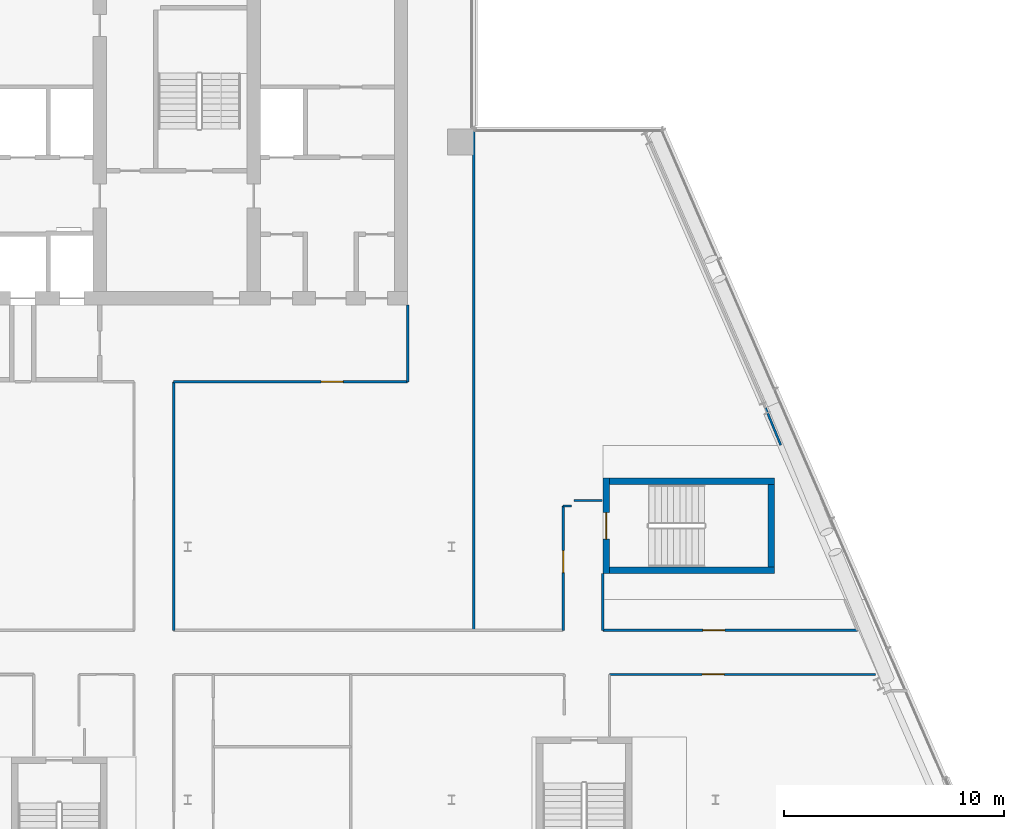
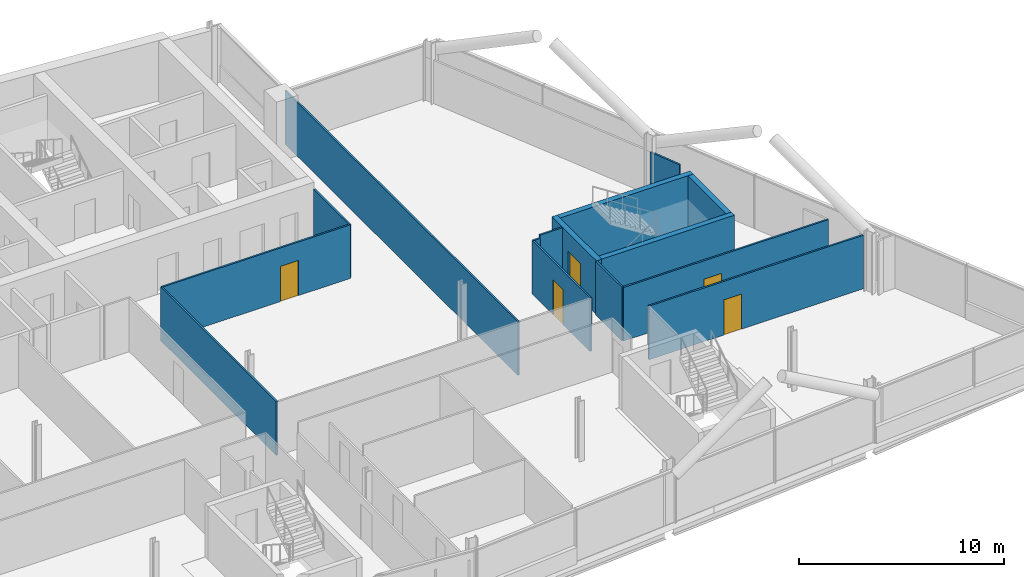
# One storey, part 17 of 27: 15 walls, 5 doors, 5 openings.
"""IFC4 building model written with IfcOpenShell, lengths in metres."""

from ifc_helpers import new_model, si_unit, direction, frame, frame_2d, origin, place, context, subcontext, project, spatial, rectangle, extrude, material, layer, layer_set, type_object, element, fill, save


model = new_model("IFC4")

# Units and contexts
model_context = context("Model", 3, precision=1e-05, world=origin(), true_north=direction((0.0, 1.0)))
body_context = subcontext(model_context, "Body", "Model", "MODEL_VIEW")
ifc_project = project(units=[si_unit("LENGTHUNIT", "METRE"), si_unit("AREAUNIT", "SQUARE_METRE"), si_unit("VOLUMEUNIT", "CUBIC_METRE"), si_unit("PLANEANGLEUNIT", "RADIAN"), si_unit("MASSUNIT", "GRAM", prefix="KILO")], contexts=[model_context])

# Site, building, storey
site_placement = place(None, origin())
site = spatial("IfcSite", under=ifc_project, at=site_placement, CompositionType="ELEMENT")
building_placement = place(site_placement, origin())
building = spatial("IfcBuilding", under=site, at=building_placement, Name="Wharfspan Tower", CompositionType="ELEMENT")
storey_placement = place(building_placement, frame((0.0, 0.0, 210.699951)))
storey = spatial("IfcBuildingStorey", under=building, at=storey_placement, Name="L52", CompositionType="ELEMENT", Elevation=210.699951)

# Wall
ifc_material_1 = material(Name="Gypsum board on steel studs", Category="steel")
ifc_layer_1 = layer(ifc_material_1, 0.100098)
ifc_layer_set_1 = layer_set([ifc_layer_1], Name="Gypsum board on steel studs")
wall_type_1 = type_object("IfcWallType", Name="Compartment wall 100 EI 60", PredefinedType="PARTITIONING", material=ifc_layer_set_1)
wall_1_placement = place(storey_placement, frame((47.360107, 19.199951, 0.0), z_axis=(0.0, 0.0, 1.0), x_axis=(0.0, 1.0, 0.0)))
element("IfcWall", 1, at=wall_1_placement, inside=storey, type_object=wall_type_1, Name="Partition L52.w022", PredefinedType="PARTITIONING", context=body_context, shape_type="SweptSolid", body=[
    extrude(rectangle(XDim=11.300049, YDim=0.100098, at=frame_2d((5.649902, 0.0))), origin(), (0.0, 0.0, 1.0), 3.199951),
])

# Wall, opening, door
wall_2_placement = place(storey_placement, frame((47.360107, 30.5, 0.0), z_axis=(0.0, 0.0, 1.0), x_axis=(1.0, 0.0, 0.0)))
wall_2 = element("IfcWall", 2, at=wall_2_placement, inside=storey, type_object=wall_type_1, Name="Partition L52.w024", PredefinedType="PARTITIONING", context=body_context, shape_type="SweptSolid", body=[
    extrude(rectangle(XDim=10.639893, YDim=0.100098, at=frame_2d((5.319824, 0.0))), origin(), (0.0, 0.0, 1.0), 3.199951),
])
opening_1_placement = place(wall_2_placement, frame((6.699951, 0.0, 0.0)))
opening_1 = element("IfcOpeningElement", 3, at=opening_1_placement, cuts=wall_2, Name="Opening D2-15", PredefinedType="OPENING", context=body_context, shape_type="SweptSolid", body=[
    extrude(rectangle(XDim=1.0, YDim=2.100098, at=frame_2d((0.5, 1.050049))), frame((0.0, 0.060059, 0.0), z_axis=(0.0, -1.0, 0.0), x_axis=(1.0, 0.0, 0.0)), (0.0, 0.0, 1.0), 0.120117),
])
ifc_material_2 = material(Name="Fire-rated timber door leaf in steel frame", Category="steel")
door_type_1 = type_object("IfcDoorType", Name="Door 1000 FD30S Right", OperationType="SINGLE_SWING_RIGHT", PredefinedType="DOOR", material=ifc_material_2)
door_1_placement = place(opening_1_placement, origin())
door_1 = element("IfcDoor", 4, at=door_1_placement, inside=storey, type_object=door_type_1, Name="Door D2-15", OperationType="SINGLE_SWING_RIGHT", OverallHeight=2.100098, OverallWidth=1.0, PredefinedType="DOOR", context=body_context, shape_type="SweptSolid", body=[
    extrude(rectangle(XDim=1.0, YDim=2.100098, at=frame_2d((0.5, 1.050049))), frame((0.0, 0.024902, 0.0), z_axis=(0.0, -1.0, 0.0), x_axis=(1.0, 0.0, 0.0)), (0.0, 0.0, 1.0), 0.050049),
])
fill(opening_1, door_1)

# Walls
wall_3_placement = place(storey_placement, frame((58.0, 30.5, 0.0), z_axis=(0.0, 0.0, 1.0), x_axis=(0.0, 1.0, 0.0)))
element("IfcWall", 5, at=wall_3_placement, inside=storey, type_object=wall_type_1, Name="Partition L52.w033", PredefinedType="PARTITIONING", context=body_context, shape_type="SweptSolid", body=[
    extrude(rectangle(XDim=3.47998, YDim=0.100098, at=frame_2d((1.73999, 0.0))), origin(), (0.0, 0.0, 1.0), 3.199951),
])
wall_4_placement = place(storey_placement, frame((61.0, 19.199951, 0.0), z_axis=(0.0, 0.0, 1.0), x_axis=(0.0, 1.0, 0.0)))
element("IfcWall", 6, at=wall_4_placement, inside=storey, type_object=wall_type_1, Name="Partition L52.w036", PredefinedType="PARTITIONING", context=body_context, shape_type="SweptSolid", body=[
    extrude(rectangle(XDim=22.780029, YDim=0.100098, at=frame_2d((11.390137, 0.0))), origin(), (0.0, 0.0, 1.0), 3.199951),
])

# Wall, opening, door
wall_5_placement = place(storey_placement, frame((65.070068, 19.199951, 0.0), z_axis=(0.0, 0.0, 1.0), x_axis=(0.0, 1.0, 0.0)))
wall_5 = element("IfcWall", 7, at=wall_5_placement, inside=storey, type_object=wall_type_1, Name="Partition L52.w037", PredefinedType="PARTITIONING", context=body_context, shape_type="SweptSolid", body=[
    extrude(rectangle(XDim=5.650146, YDim=0.100098, at=frame_2d((2.825195, 0.0))), origin(), (0.0, 0.0, 1.0), 3.199951),
])
opening_2_placement = place(wall_5_placement, frame((2.618652, 0.0, 0.0)))
opening_2 = element("IfcOpeningElement", 8, at=opening_2_placement, cuts=wall_5, Name="Opening D2-11", PredefinedType="OPENING", context=body_context, shape_type="SweptSolid", body=[
    extrude(rectangle(XDim=1.0, YDim=2.100098, at=frame_2d((0.5, 1.050049))), frame((0.0, 0.060059, 0.0), z_axis=(0.0, -1.0, 0.0), x_axis=(1.0, 0.0, 0.0)), (0.0, 0.0, 1.0), 0.120117),
])
door_2_placement = place(opening_2_placement, origin())
door_2 = element("IfcDoor", 9, at=door_2_placement, inside=storey, type_object=door_type_1, Name="Door D2-11", OperationType="SINGLE_SWING_RIGHT", OverallHeight=2.100098, OverallWidth=1.0, PredefinedType="DOOR", context=body_context, shape_type="SweptSolid", body=[
    extrude(rectangle(XDim=1.0, YDim=2.100098, at=frame_2d((0.5, 1.050049))), frame((0.0, 0.024902, 0.0), z_axis=(0.0, -1.0, 0.0), x_axis=(1.0, 0.0, 0.0)), (0.0, 0.0, 1.0), 0.050049),
])
fill(opening_2, door_2)

# Walls
wall_6_placement = place(storey_placement, frame((65.070068, 24.850098, 0.0), z_axis=(0.0, 0.0, 1.0), x_axis=(1.0, 0.0, 0.0)))
element("IfcWall", 10, at=wall_6_placement, inside=storey, type_object=wall_type_1, Name="Partition L52.w038", PredefinedType="PARTITIONING", context=body_context, shape_type="SweptSolid", body=[
    extrude(rectangle(XDim=0.379883, YDim=0.100098, at=frame_2d((0.189941, 0.0))), origin(), (0.0, 0.0, 1.0), 3.199951),
])
wall_7_placement = place(storey_placement, frame((65.570068, 25.100098, 0.0), z_axis=(0.0, 0.0, 1.0), x_axis=(1.0, 0.0, 0.0)))
element("IfcWall", 11, at=wall_7_placement, inside=storey, type_object=wall_type_1, Name="Partition L52.w040", PredefinedType="PARTITIONING", context=body_context, shape_type="SweptSolid", body=[
    extrude(rectangle(XDim=1.279541, YDim=0.100098, at=frame_2d((0.639648, 0.0))), origin(), (0.0, 0.0, 1.0), 3.199951),
])
wall_8_placement = place(storey_placement, frame((66.870117, 19.199951, 0.0), z_axis=(0.0, 0.0, 1.0), x_axis=(0.0, 1.0, 0.0)))
element("IfcWall", 12, at=wall_8_placement, inside=storey, type_object=wall_type_1, Name="Partition L52.w041", PredefinedType="PARTITIONING", context=body_context, shape_type="SweptSolid", body=[
    extrude(rectangle(XDim=2.574951, YDim=0.100098, at=frame_2d((1.287598, 0.0))), origin(), (0.0, 0.0, 1.0), 3.199951),
])

# Wall, opening, door
wall_9_placement = place(storey_placement, frame((66.870117, 19.199951, 0.0), z_axis=(0.0, 0.0, 1.0), x_axis=(1.0, 0.0, 0.0)))
wall_9 = element("IfcWall", 13, at=wall_9_placement, inside=storey, type_object=wall_type_1, Name="Partition L52.w042", PredefinedType="PARTITIONING", context=body_context, shape_type="SweptSolid", body=[
    extrude(rectangle(XDim=11.569824, YDim=0.100098, at=frame_2d((5.784912, 0.0))), origin(), (0.0, 0.0, 1.0), 3.199951),
])
opening_3_placement = place(wall_9_placement, frame((4.55127, 0.0, 0.0)))
opening_3 = element("IfcOpeningElement", 14, at=opening_3_placement, cuts=wall_9, Name="Opening D2-10", PredefinedType="OPENING", context=body_context, shape_type="SweptSolid", body=[
    extrude(rectangle(XDim=1.0, YDim=2.100098, at=frame_2d((0.5, 1.050049))), frame((0.0, 0.060059, 0.0), z_axis=(0.0, -1.0, 0.0), x_axis=(1.0, 0.0, 0.0)), (0.0, 0.0, 1.0), 0.120117),
])
door_type_2 = type_object("IfcDoorType", Name="Door 1000 FD30S Left", OperationType="SINGLE_SWING_LEFT", PredefinedType="DOOR", material=ifc_material_2)
door_3_placement = place(opening_3_placement, origin())
door_3 = element("IfcDoor", 15, at=door_3_placement, inside=storey, type_object=door_type_2, Name="Door D2-10", OperationType="SINGLE_SWING_LEFT", OverallHeight=2.100098, OverallWidth=1.0, PredefinedType="DOOR", context=body_context, shape_type="SweptSolid", body=[
    extrude(rectangle(XDim=1.0, YDim=2.100098, at=frame_2d((0.5, 1.050049))), frame((0.0, 0.024902, 0.0), z_axis=(0.0, -1.0, 0.0), x_axis=(1.0, 0.0, 0.0)), (0.0, 0.0, 1.0), 0.050049),
])
fill(opening_3, door_3)

wall_10_placement = place(storey_placement, frame((67.169922, 17.195068, 0.0), z_axis=(0.0, 0.0, 1.0), x_axis=(1.0, 0.0, 0.0)))
wall_10 = element("IfcWall", 16, at=wall_10_placement, inside=storey, type_object=wall_type_1, Name="Partition L52.w044", PredefinedType="PARTITIONING", context=body_context, shape_type="SweptSolid", body=[
    extrude(rectangle(XDim=12.094971, YDim=0.100098, at=frame_2d((6.047363, 0.0))), origin(), (0.0, 0.0, 1.0), 3.199951),
])
opening_4_placement = place(wall_10_placement, frame((4.219971, 0.0, 0.0)))
opening_4 = element("IfcOpeningElement", 17, at=opening_4_placement, cuts=wall_10, Name="Opening D2-08", PredefinedType="OPENING", context=body_context, shape_type="SweptSolid", body=[
    extrude(rectangle(XDim=1.0, YDim=2.100098, at=frame_2d((0.5, 1.050049))), frame((0.0, 0.060059, 0.0), z_axis=(0.0, -1.0, 0.0), x_axis=(1.0, 0.0, 0.0)), (0.0, 0.0, 1.0), 0.120117),
])
door_4_placement = place(opening_4_placement, origin())
door_4 = element("IfcDoor", 18, at=door_4_placement, inside=storey, type_object=door_type_2, Name="Door D2-08", OperationType="SINGLE_SWING_LEFT", OverallHeight=2.100098, OverallWidth=1.0, PredefinedType="DOOR", context=body_context, shape_type="SweptSolid", body=[
    extrude(rectangle(XDim=1.0, YDim=2.100098, at=frame_2d((0.5, 1.050049))), frame((0.0, 0.024902, 0.0), z_axis=(0.0, -1.0, 0.0), x_axis=(1.0, 0.0, 0.0)), (0.0, 0.0, 1.0), 0.050049),
])
fill(opening_4, door_4)

# Wall
ifc_layer_2 = layer(ifc_material_1, 0.100098)
ifc_layer_set_2 = layer_set([ifc_layer_2], Name="Gypsum board on steel studs")
wall_type_2 = type_object("IfcWallType", Name="Partition 100", PredefinedType="PARTITIONING", material=ifc_layer_set_2)
wall_11_placement = place(storey_placement, frame((74.961914, 27.620117, 0.0), z_axis=(0.0, 0.0, 1.0), x_axis=(-0.381293, 0.924452, 0.0)))
element("IfcWall", 19, at=wall_11_placement, inside=storey, type_object=wall_type_2, Name="Partition L52.w048", PredefinedType="PARTITIONING", context=body_context, shape_type="SweptSolid", body=[
    extrude(rectangle(XDim=1.828125, YDim=0.100098, at=frame_2d((0.914062, 0.0))), origin(), (0.0, 0.0, 1.0), 2.580078),
])

# Wall, opening, door
ifc_material_3 = material(Name="Concrete C40/50", Category="concrete")
ifc_layer_3 = layer(ifc_material_3, 0.300049)
ifc_layer_set_3 = layer_set([ifc_layer_3], Name="Concrete C40/50")
wall_type_3 = type_object("IfcWallType", Name="Stair core wall 300", PredefinedType="SHEAR", material=ifc_layer_set_3)
wall_12_placement = place(storey_placement, frame((67.019531, 21.774902, 0.0), z_axis=(0.0, 0.0, 1.0), x_axis=(0.0, 1.0, 0.0)))
wall_12 = element("IfcWall", 20, at=wall_12_placement, inside=storey, type_object=wall_type_3, Name="ST6 stair enclosure wall L52", PredefinedType="SHEAR", context=body_context, shape_type="SweptSolid", body=[
    extrude(rectangle(XDim=4.350098, YDim=0.300049, at=frame_2d((2.175049, 0.0))), origin(), (0.0, 0.0, 1.0), 3.199951),
])
opening_5_placement = place(wall_12_placement, frame((1.574951, 0.0, 0.0)))
opening_5 = element("IfcOpeningElement", 21, at=opening_5_placement, cuts=wall_12, Name="Opening SD6.L52", PredefinedType="OPENING", context=body_context, shape_type="SweptSolid", body=[
    extrude(rectangle(XDim=1.199951, YDim=2.100098, at=frame_2d((0.600098, 1.050049))), frame((0.0, 0.159912, 0.0), z_axis=(0.0, -1.0, 0.0), x_axis=(1.0, 0.0, 0.0)), (0.0, 0.0, 1.0), 0.320068),
])
ifc_material_4 = material(Name="Steel door leaf", Category="steel")
door_type_3 = type_object("IfcDoorType", Name="Stair door 1200x2100", OperationType="SINGLE_SWING_LEFT", PredefinedType="DOOR", material=ifc_material_4)
door_5_placement = place(opening_5_placement, origin())
door_5 = element("IfcDoor", 22, at=door_5_placement, inside=storey, type_object=door_type_3, Name="sd:L52:ST6z4", OperationType="SINGLE_SWING_RIGHT", OverallHeight=2.100098, OverallWidth=1.199951, PredefinedType="DOOR", context=body_context, shape_type="SweptSolid", body=[
    extrude(rectangle(XDim=1.199951, YDim=2.100098, at=frame_2d((0.600098, 1.050049))), frame((0.0, 0.024902, 0.0), z_axis=(0.0, -1.0, 0.0), x_axis=(1.0, 0.0, 0.0)), (0.0, 0.0, 1.0), 0.050049),
])
fill(opening_5, door_5)

# Walls
for number, where, z_axis, x_axis, name in (
    (23, (67.169678, 21.925049, 0.0), (0.0, 0.0, 1.0), (1.0, 0.0, 0.0), "ST6 stair enclosure wall L52"),
    (24, (67.169678, 25.975098, 0.0), (0.0, 0.0, 1.0), (1.0, 0.0, 0.0), "ST6 stair enclosure wall L52"),
):
    element("IfcWall", number, at=place(storey_placement, frame(where, z_axis=z_axis, x_axis=x_axis)), inside=storey, type_object=wall_type_3, Name=name, PredefinedType="SHEAR", context=body_context, shape_type="SweptSolid", body=[
        extrude(rectangle(XDim=7.5, YDim=0.300049, at=frame_2d((3.75, 0.0))), origin(), (0.0, 0.0, 1.0), 3.199951),
    ])
wall_13_placement = place(storey_placement, frame((74.519531, 22.074951, 0.0), z_axis=(0.0, 0.0, 1.0), x_axis=(0.0, 1.0, 0.0)))
element("IfcWall", 25, at=wall_13_placement, inside=storey, type_object=wall_type_3, Name="ST6 stair enclosure wall L52", PredefinedType="SHEAR", context=body_context, shape_type="SweptSolid", body=[
    extrude(rectangle(XDim=3.75, YDim=0.300049, at=frame_2d((1.875, 0.0))), origin(), (0.0, 0.0, 1.0), 3.199951),
])

save(model, "model.ifc")
